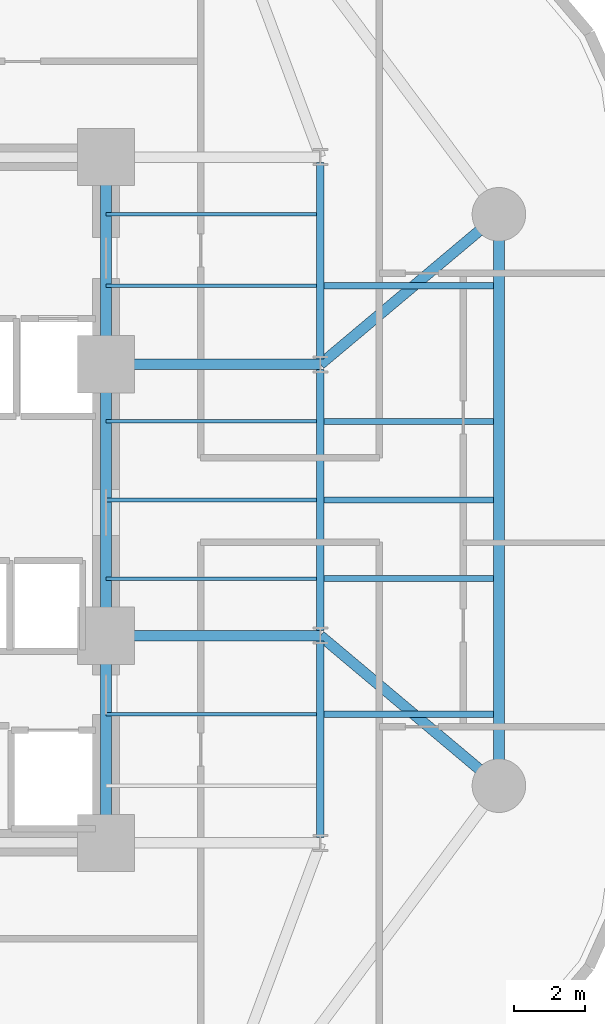
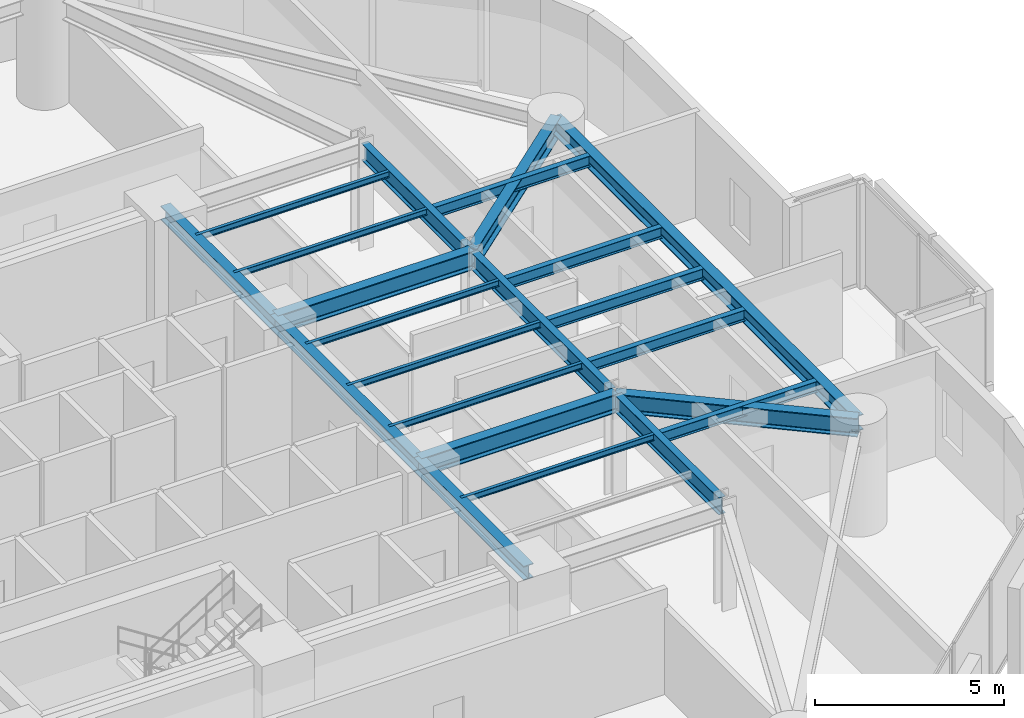
# One storey, part 5 of 16: 22 beams.
"""IFC4 building model written with IfcOpenShell, lengths in metres."""

from ifc_helpers import new_model, si_unit, direction, frame, origin, origin_2d, place, context, subcontext, project, spatial, i_section, extrude, material, material_profile, profile_set, type_object, element, save


model = new_model("IFC4")

# Units and contexts
model_context = context("Model", 3, precision=1e-05, world=origin(), true_north=direction((0.0, 1.0)))
body_context = subcontext(model_context, "Body", "Model", "MODEL_VIEW")
ifc_project = project(units=[si_unit("LENGTHUNIT", "METRE"), si_unit("AREAUNIT", "SQUARE_METRE"), si_unit("VOLUMEUNIT", "CUBIC_METRE"), si_unit("PLANEANGLEUNIT", "RADIAN"), si_unit("MASSUNIT", "GRAM", prefix="KILO")], contexts=[model_context])

# Site, building, storey
site_placement = place(None, origin())
site = spatial("IfcSite", under=ifc_project, at=site_placement, CompositionType="ELEMENT")
building_placement = place(site_placement, origin())
building = spatial("IfcBuilding", under=site, at=building_placement, Name="An Khanh Terracotta Commons", CompositionType="ELEMENT")
storey_placement = place(building_placement, frame((0.0, 0.0, 57.60009765625)))
storey = spatial("IfcBuildingStorey", under=building, at=storey_placement, Name="L15", CompositionType="ELEMENT", Elevation=57.60009765625)

# Beams
ifc_material = material(Name="Steel S355J2", Category="steel")
ifc_material_profile_1 = material_profile(ifc_material, i_section(OverallWidth=0.300048828125, OverallDepth=0.449951171875, WebThickness=0.013916015625, FlangeThickness=0.02587890625, FilletRadius=0.027099609375, at=origin_2d()), Name="HEB450")
ifc_profile_set_1 = profile_set([ifc_material_profile_1], Name="Steel S355J2")
beam_type_1 = type_object("IfcBeamType", Name="BM-HEB450", PredefinedType="BEAM", material=ifc_profile_set_1)
beam_1_placement = place(storey_placement, frame((37.199951171875, 14.39990234375, 3.1748046875), z_axis=(0.0, 1.0, 0.0), x_axis=(-1.0, 0.0, 0.0)))
element("IfcBeam", 1, at=beam_1_placement, inside=storey, type_object=beam_type_1, Name="L15 Core East Coupling Girder 1", PredefinedType="BEAM", context=body_context, shape_type="SweptSolid", body=[
    extrude(i_section(OverallWidth=0.300048828125, OverallDepth=0.449951171875, WebThickness=0.013916015625, FlangeThickness=0.02587890625, FilletRadius=0.027099609375, at=origin_2d()), origin(), (0.0, 0.0, 1.0), 5.800048828125),
])
beam_2_placement = place(storey_placement, frame((37.199951171875, 20.199951171875, 3.1748046875), z_axis=(0.0, 1.0, 0.0), x_axis=(-1.0, 0.0, 0.0)))
element("IfcBeam", 2, at=beam_2_placement, inside=storey, type_object=beam_type_1, Name="L15 Core East Coupling Girder 2", PredefinedType="BEAM", context=body_context, shape_type="SweptSolid", body=[
    extrude(i_section(OverallWidth=0.300048828125, OverallDepth=0.449951171875, WebThickness=0.013916015625, FlangeThickness=0.02587890625, FilletRadius=0.027099609375, at=origin_2d()), origin(), (0.0, 0.0, 1.0), 7.60009765625),
])
beam_3_placement = place(storey_placement, frame((37.199951171875, 27.800048828125, 3.1748046875), z_axis=(0.0, 1.0, 0.0), x_axis=(-1.0, 0.0, 0.0)))
element("IfcBeam", 3, at=beam_3_placement, inside=storey, type_object=beam_type_1, Name="L15 Core East Coupling Girder 3", PredefinedType="BEAM", context=body_context, shape_type="SweptSolid", body=[
    extrude(i_section(OverallWidth=0.300048828125, OverallDepth=0.449951171875, WebThickness=0.013916015625, FlangeThickness=0.02587890625, FilletRadius=0.027099609375, at=origin_2d()), origin(), (0.0, 0.0, 1.0), 5.800048828125),
])
ifc_material_profile_2 = material_profile(ifc_material, i_section(OverallWidth=0.300048828125, OverallDepth=0.5, WebThickness=0.014404296875, FlangeThickness=0.028076171875, FilletRadius=0.027099609375, at=origin_2d()), Name="HEB500")
ifc_profile_set_2 = profile_set([ifc_material_profile_2], Name="Steel S355J2")
beam_type_2 = type_object("IfcBeamType", Name="BM-HEB500", PredefinedType="BEAM", material=ifc_profile_set_2)
beam_4_placement = place(storey_placement, frame((48.199951171875, 16.0, 3.14990234375), z_axis=(0.0, 1.0, 0.0), x_axis=(-1.0, 0.0, 0.0)))
element("IfcBeam", 4, at=beam_4_placement, inside=storey, type_object=beam_type_2, Name="L15 Perimeter Ring Spandrel 3", PredefinedType="BEAM", context=body_context, shape_type="SweptSolid", body=[
    extrude(i_section(OverallWidth=0.300048828125, OverallDepth=0.5, WebThickness=0.014404296875, FlangeThickness=0.028076171875, FilletRadius=0.027099609375, at=origin_2d()), origin(), (0.0, 0.0, 1.0), 16.0),
])
ifc_material_profile_3 = material_profile(ifc_material, i_section(OverallWidth=0.300048828125, OverallDepth=0.60009765625, WebThickness=0.015380859375, FlangeThickness=0.030029296875, FilletRadius=0.027099609375, at=origin_2d()), Name="HEB600")
ifc_profile_set_3 = profile_set([ifc_material_profile_3], Name="Steel S355J2")
beam_type_3 = type_object("IfcBeamType", Name="BM-HEB600", PredefinedType="BEAM", material=ifc_profile_set_3)
for number, where, z_axis, x_axis, name in (
    (5, (37.199951171875, 20.199951171875, 3.099853515625), (1.0, 0.0, 0.0), (0.0, 1.0, 0.0), "L15 East Primary Floor Girder 2"),
    (6, (37.199951171875, 27.800048828125, 3.099853515625), (1.0, 0.0, 0.0), (0.0, 1.0, 0.0), "L15 East Primary Floor Girder 3"),
):
    element("IfcBeam", number, at=place(storey_placement, frame(where, z_axis=z_axis, x_axis=x_axis)), inside=storey, type_object=beam_type_3, Name=name, PredefinedType="BEAM", context=body_context, shape_type="SweptSolid", body=[
        extrude(i_section(OverallWidth=0.300048828125, OverallDepth=0.60009765625, WebThickness=0.015380859375, FlangeThickness=0.030029296875, FilletRadius=0.027099609375, at=origin_2d()), origin(), (0.0, 0.0, 1.0), 6.0),
    ])
for number, where, z_axis, x_axis, name in (
    (7, (48.199951171875, 16.0, 3.099853515625), (-0.765708547471, 0.643187702253, 0.0), (-0.643187702253, -0.765708547471, 0.0), "L15 Mega-Column Tie Girder 3"),
    (8, (48.199951171875, 32.0, 3.099853515625), (-0.765708547471, -0.643187702253, 0.0), (0.643187702253, -0.765708547471, 0.0), "L15 Mega-Column Tie Girder 4"),
):
    element("IfcBeam", number, at=place(storey_placement, frame(where, z_axis=z_axis, x_axis=x_axis)), inside=storey, type_object=beam_type_3, Name=name, PredefinedType="BEAM", context=body_context, shape_type="SweptSolid", body=[
        extrude(i_section(OverallWidth=0.300048828125, OverallDepth=0.60009765625, WebThickness=0.015380859375, FlangeThickness=0.030029296875, FilletRadius=0.027099609375, at=origin_2d()), origin(), (0.0, 0.0, 1.0), 6.52978515625),
    ])
ifc_material_profile_4 = material_profile(ifc_material, i_section(OverallWidth=0.10009765625, OverallDepth=0.199951171875, WebThickness=0.005615234375, FlangeThickness=0.008544921875, FilletRadius=0.011962890625, at=origin_2d()), Name="IPE200")
ifc_profile_set_4 = profile_set([ifc_material_profile_4], Name="Steel S355J2")
beam_type_4 = type_object("IfcBeamType", Name="BM-IPE200", PredefinedType="JOIST", material=ifc_profile_set_4)
for number, where, z_axis, x_axis, name in (
    (9, (37.199951171875, 18.0, 3.2998046875), (1.0, 0.0, 0.0), (0.0, 1.0, 0.0), "L15 Inboard Composite Joist 2"),
    (10, (37.199951171875, 21.800048828125, 3.2998046875), (1.0, 0.0, 0.0), (0.0, 1.0, 0.0), "L15 Inboard Composite Joist 3"),
    (11, (37.199951171875, 24.0, 3.2998046875), (1.0, 0.0, 0.0), (0.0, 1.0, 0.0), "L15 Inboard Composite Joist 4"),
    (12, (37.199951171875, 26.199951171875, 3.2998046875), (1.0, 0.0, 0.0), (0.0, 1.0, 0.0), "L15 Inboard Composite Joist 5"),
    (13, (37.199951171875, 30.0, 3.2998046875), (1.0, 0.0, 0.0), (0.0, 1.0, 0.0), "L15 Inboard Composite Joist 6"),
    (14, (37.199951171875, 32.0, 3.2998046875), (1.0, 0.0, 0.0), (0.0, 1.0, 0.0), "L15 Inboard Composite Joist 7"),
):
    element("IfcBeam", number, at=place(storey_placement, frame(where, z_axis=z_axis, x_axis=x_axis)), inside=storey, type_object=beam_type_4, Name=name, PredefinedType="JOIST", context=body_context, shape_type="SweptSolid", body=[
        extrude(i_section(OverallWidth=0.10009765625, OverallDepth=0.199951171875, WebThickness=0.005615234375, FlangeThickness=0.008544921875, FilletRadius=0.011962890625, at=origin_2d()), origin(), (0.0, 0.0, 1.0), 5.89501953125),
    ])
ifc_material_profile_5 = material_profile(ifc_material, i_section(OverallWidth=0.169921875, OverallDepth=0.360107421875, WebThickness=0.008056640625, FlangeThickness=0.0126953125, FilletRadius=0.01806640625, at=origin_2d()), Name="IPE360")
ifc_profile_set_5 = profile_set([ifc_material_profile_5], Name="Steel S355J2")
beam_type_5 = type_object("IfcBeamType", Name="BM-IPE360", PredefinedType="JOIST", material=ifc_profile_set_5)
for number, where, z_axis, x_axis, name in (
    (15, (43.304931640625, 18.0, 3.219970703125), (1.0, 0.0, 0.0), (0.0, 1.0, 0.0), "L15 Riverfront Composite Joist 2"),
    (16, (43.304931640625, 21.800048828125, 3.219970703125), (1.0, 0.0, 0.0), (0.0, 1.0, 0.0), "L15 Riverfront Composite Joist 3"),
    (17, (43.304931640625, 24.0, 3.219970703125), (1.0, 0.0, 0.0), (0.0, 1.0, 0.0), "L15 Riverfront Composite Joist 4"),
    (18, (43.304931640625, 26.199951171875, 3.219970703125), (1.0, 0.0, 0.0), (0.0, 1.0, 0.0), "L15 Riverfront Composite Joist 5"),
    (19, (43.304931640625, 30.0, 3.219970703125), (1.0, 0.0, 0.0), (0.0, 1.0, 0.0), "L15 Riverfront Composite Joist 6"),
):
    element("IfcBeam", number, at=place(storey_placement, frame(where, z_axis=z_axis, x_axis=x_axis)), inside=storey, type_object=beam_type_5, Name=name, PredefinedType="JOIST", context=body_context, shape_type="SweptSolid", body=[
        extrude(i_section(OverallWidth=0.169921875, OverallDepth=0.360107421875, WebThickness=0.008056640625, FlangeThickness=0.0126953125, FilletRadius=0.01806640625, at=origin_2d()), origin(), (0.0, 0.0, 1.0), 4.7451171875),
    ])
ifc_material_profile_6 = material_profile(ifc_material, i_section(OverallWidth=0.2099609375, OverallDepth=0.550048828125, WebThickness=0.010986328125, FlangeThickness=0.01708984375, FilletRadius=0.02392578125, at=origin_2d()), Name="IPE550")
ifc_profile_set_6 = profile_set([ifc_material_profile_6], Name="Steel S355J2")
beam_type_6 = type_object("IfcBeamType", Name="BM-IPE550", PredefinedType="BEAM", material=ifc_profile_set_6)
beam_5_placement = place(storey_placement, frame((43.199951171875, 14.550048828125, 3.125), z_axis=(0.0, 1.0, 0.0), x_axis=(-1.0, 0.0, 0.0)))
element("IfcBeam", 20, at=beam_5_placement, inside=storey, type_object=beam_type_6, Name="L15 East Spine Girder 1", PredefinedType="BEAM", context=body_context, shape_type="SweptSolid", body=[
    extrude(i_section(OverallWidth=0.2099609375, OverallDepth=0.550048828125, WebThickness=0.010986328125, FlangeThickness=0.01708984375, FilletRadius=0.02392578125, at=origin_2d()), origin(), (0.0, 0.0, 1.0), 5.5),
])
beam_6_placement = place(storey_placement, frame((43.199951171875, 20.35009765625, 3.125), z_axis=(0.0, 1.0, 0.0), x_axis=(-1.0, 0.0, 0.0)))
element("IfcBeam", 21, at=beam_6_placement, inside=storey, type_object=beam_type_6, Name="L15 East Spine Girder 2", PredefinedType="BEAM", context=body_context, shape_type="SweptSolid", body=[
    extrude(i_section(OverallWidth=0.2099609375, OverallDepth=0.550048828125, WebThickness=0.010986328125, FlangeThickness=0.01708984375, FilletRadius=0.02392578125, at=origin_2d()), origin(), (0.0, 0.0, 1.0), 7.2998046875),
])
beam_7_placement = place(storey_placement, frame((43.199951171875, 27.949951171875, 3.125), z_axis=(0.0, 1.0, 0.0), x_axis=(-1.0, 0.0, 0.0)))
element("IfcBeam", 22, at=beam_7_placement, inside=storey, type_object=beam_type_6, Name="L15 East Spine Girder 3", PredefinedType="BEAM", context=body_context, shape_type="SweptSolid", body=[
    extrude(i_section(OverallWidth=0.2099609375, OverallDepth=0.550048828125, WebThickness=0.010986328125, FlangeThickness=0.01708984375, FilletRadius=0.02392578125, at=origin_2d()), origin(), (0.0, 0.0, 1.0), 5.5),
])

save(model, "model.ifc")
